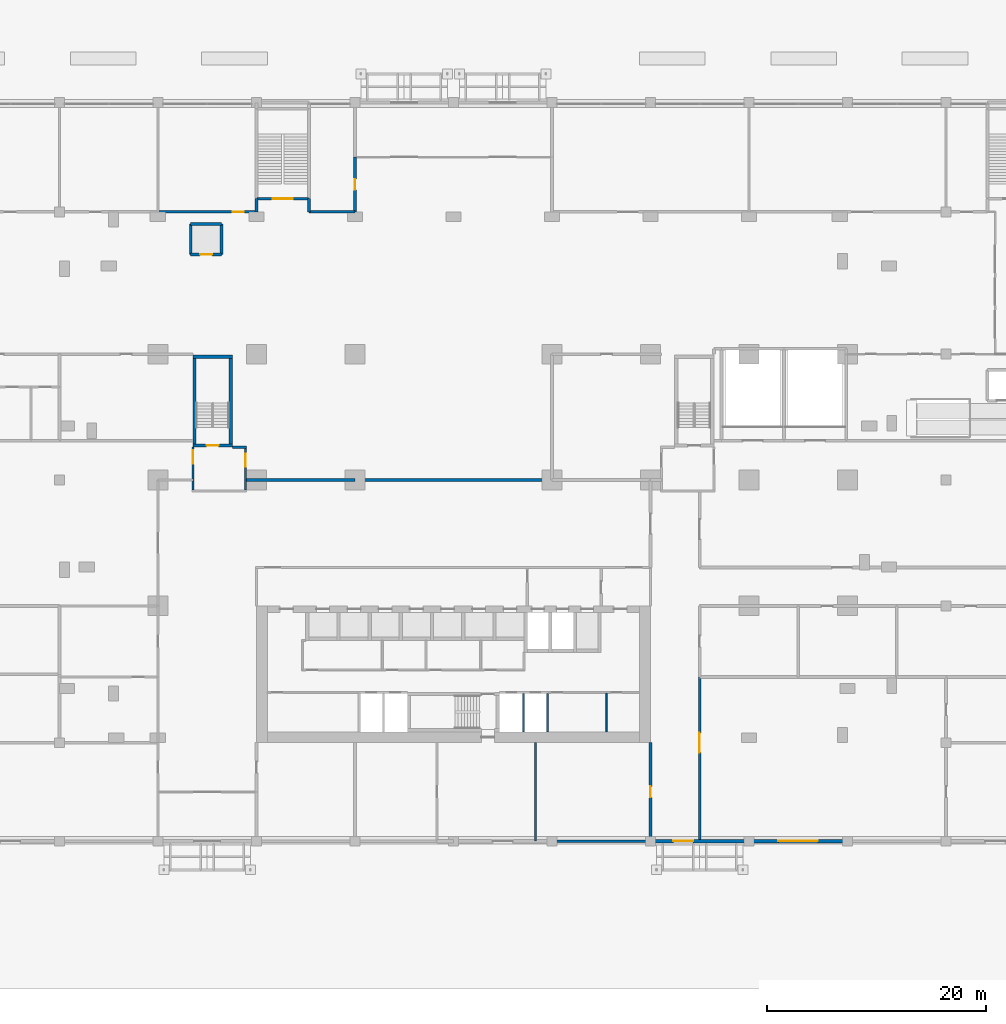
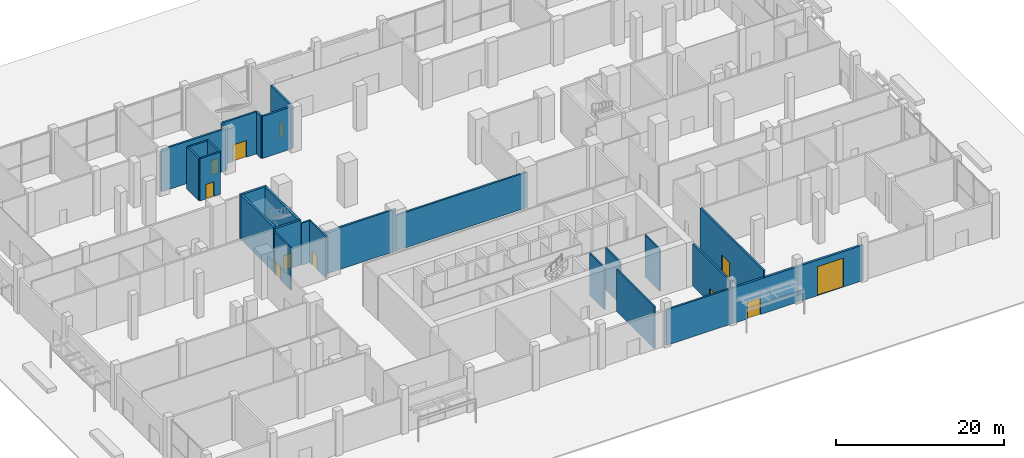
# One storey, part 32 of 39: 28 walls, 11 doors, 11 openings.
"""IFC4 building model written with IfcOpenShell, lengths in metres."""

from ifc_helpers import new_model, si_unit, direction, frame, frame_2d, origin, place, context, subcontext, project, spatial, rectangle, extrude, material, layer, layer_set, type_object, element, fill, save


model = new_model("IFC4")

# Units and contexts
model_context = context("Model", 3, precision=1e-05, world=origin(), true_north=direction((0.0, 1.0)))
body_context = subcontext(model_context, "Body", "Model", "MODEL_VIEW")
ifc_project = project(units=[si_unit("LENGTHUNIT", "METRE"), si_unit("AREAUNIT", "SQUARE_METRE"), si_unit("VOLUMEUNIT", "CUBIC_METRE"), si_unit("PLANEANGLEUNIT", "RADIAN"), si_unit("MASSUNIT", "GRAM", prefix="KILO")], contexts=[model_context])

# Site, building, storey
site_placement = place(None, origin())
site = spatial("IfcSite", under=ifc_project, at=site_placement, CompositionType="ELEMENT")
building_placement = place(site_placement, origin())
building = spatial("IfcBuilding", under=site, at=building_placement, Name="Brigalow Station Residences", CompositionType="ELEMENT")
storey_placement = place(building_placement, origin())
storey = spatial("IfcBuildingStorey", under=building, at=storey_placement, Name="L00", CompositionType="ELEMENT", Elevation=0.0)

# Wall, opening, door
ifc_material_1 = material(Name="Concrete C80", Category="concrete")
ifc_layer_1 = layer(ifc_material_1, 0.300048828125)
ifc_layer_set_1 = layer_set([ifc_layer_1], Name="CORE SHEAR WALL 300 C80")
wall_type_1 = type_object("IfcWallType", Name="CORE SHEAR WALL 300 C80", PredefinedType="SHEAR", material=ifc_layer_set_1)
wall_1_placement = place(storey_placement, frame((12.199951171875, 27.14990234375, 0.0), z_axis=(0.0, 0.0, 1.0), x_axis=(1.0, 0.0, 0.0)))
wall_1 = element("IfcWall", 1, at=wall_1_placement, inside=storey, type_object=wall_type_1, Name="CORE WALL ST-S1-S L00", PredefinedType="SHEAR", context=body_context, shape_type="SweptSolid", body=[
    extrude(rectangle(XDim=3.60009765625, YDim=0.300048828125, at=frame_2d((1.800048828125, 0.0))), origin(), (0.0, 0.0, 1.0), 6.5),
])
opening_1_placement = place(wall_1_placement, frame((1.25, 0.0, 0.0)))
opening_1 = element("IfcOpeningElement", 2, at=opening_1_placement, cuts=wall_1, Name="Opening D-5015", PredefinedType="OPENING", context=body_context, shape_type="SweptSolid", body=[
    extrude(rectangle(XDim=1.10009765625, YDim=2.10009765625, at=frame_2d((0.550048828125, 1.050048828125))), frame((0.0, 0.16015625, 0.0), z_axis=(0.0, -1.0, 0.0), x_axis=(1.0, 0.0, 0.0)), (0.0, 0.0, 1.0), 0.320068359375),
])
ifc_material_2 = material(Name="Steel fire door leaf in steel frame", Category="steel")
door_type_1 = type_object("IfcDoorType", Name="STAIR DOOR 1100 x 2100 FD60S", OperationType="SINGLE_SWING_LEFT", PredefinedType="DOOR", material=ifc_material_2)
door_1_placement = place(opening_1_placement, origin())
door_1 = element("IfcDoor", 3, at=door_1_placement, inside=storey, type_object=door_type_1, Name="D-5015", OperationType="SINGLE_SWING_LEFT", OverallHeight=2.10009765625, OverallWidth=1.10009765625, PredefinedType="DOOR", context=body_context, shape_type="SweptSolid", body=[
    extrude(rectangle(XDim=1.10009765625, YDim=2.10009765625, at=frame_2d((0.550048828125, 1.050048828125))), frame((0.0, 0.02490234375, 0.0), z_axis=(0.0, -1.0, 0.0), x_axis=(1.0, 0.0, 0.0)), (0.0, 0.0, 1.0), 0.050048828125),
])
fill(opening_1, door_1)

# Walls
wall_2_placement = place(storey_placement, frame((12.199951171875, 35.25, 0.0), z_axis=(0.0, 0.0, 1.0), x_axis=(1.0, 0.0, 0.0)))
element("IfcWall", 4, at=wall_2_placement, inside=storey, type_object=wall_type_1, Name="CORE WALL ST-S1-N L00", PredefinedType="SHEAR", context=body_context, shape_type="SweptSolid", body=[
    extrude(rectangle(XDim=3.60009765625, YDim=0.300048828125, at=frame_2d((1.800048828125, 0.0))), origin(), (0.0, 0.0, 1.0), 6.5),
])
for number, where, z_axis, x_axis, name in (
    (5, (12.35009765625, 27.300048828125, 0.0), (0.0, 0.0, 1.0), (0.0, 1.0, 0.0), "CORE WALL ST-S1-W L00"),
    (6, (15.64990234375, 27.300048828125, 0.0), (0.0, 0.0, 1.0), (0.0, 1.0, 0.0), "CORE WALL ST-S1-E L00"),
):
    element("IfcWall", number, at=place(storey_placement, frame(where, z_axis=z_axis, x_axis=x_axis)), inside=storey, type_object=wall_type_1, Name=name, PredefinedType="SHEAR", context=body_context, shape_type="SweptSolid", body=[
        extrude(rectangle(XDim=7.800048828125, YDim=0.300048828125, at=frame_2d((3.89990234375, 0.0))), origin(), (0.0, 0.0, 1.0), 6.5),
    ])

# Wall, opening, door
ifc_material_3 = material(Name="Glass and aluminium shopfront on a masonry base", Category="masonry")
ifc_layer_2 = layer(ifc_material_3, 0.300048828125)
ifc_layer_set_2 = layer_set([ifc_layer_2], Name="ENTRANCE INFILL 300")
wall_type_2 = type_object("IfcWallType", Name="ENTRANCE INFILL 300", PredefinedType="SOLIDWALL", material=ifc_layer_set_2)
wall_3_placement = place(storey_placement, frame((63.0, -9.0, 0.0), z_axis=(0.0, 0.0, 1.0), x_axis=(1.0, 0.0, 0.0)))
wall_3 = element("IfcWall", 7, at=wall_3_placement, inside=storey, type_object=wall_type_2, Name="Entrance Infill 300 Goods Receiving Room / OUT", PredefinedType="SOLIDWALL", context=body_context, shape_type="SweptSolid", body=[
    extrude(rectangle(XDim=9.0, YDim=0.300048828125, at=frame_2d((4.5, 0.0))), origin(), (0.0, 0.0, 1.0), 5.14794921875),
])
opening_2_placement = place(wall_3_placement, frame((2.699951171875, 0.0, 0.0)))
opening_2 = element("IfcOpeningElement", 8, at=opening_2_placement, cuts=wall_3, Name="Opening D-7105", PredefinedType="OPENING", context=body_context, shape_type="SweptSolid", body=[
    extrude(rectangle(XDim=3.60009765625, YDim=4.199951171875, at=frame_2d((1.800048828125, 2.10009765625))), frame((0.0, 0.16015625, 0.0), z_axis=(0.0, -1.0, 0.0), x_axis=(1.0, 0.0, 0.0)), (0.0, 0.0, 1.0), 0.320068359375),
])
ifc_material_4 = material(Name="Galvanised steel roller shutter", Category="steel")
door_type_2 = type_object("IfcDoorType", Name="DOOR LOADING 3600 ROLLER", OperationType="ROLLINGUP", PredefinedType="DOOR", material=ifc_material_4)
door_2_placement = place(opening_2_placement, frame((3.60009765625, 0.0, 0.0), z_axis=(0.0, 0.0, 1.0), x_axis=(-1.0, 0.0, 0.0)))
door_2 = element("IfcDoor", 9, at=door_2_placement, inside=storey, type_object=door_type_2, Name="Loading door", OperationType="ROLLINGUP", OverallHeight=4.199951171875, OverallWidth=3.60009765625, PredefinedType="DOOR", context=body_context, shape_type="SweptSolid", body=[
    extrude(rectangle(XDim=3.60009765625, YDim=4.199951171875, at=frame_2d((1.800048828125, 2.10009765625))), frame((0.0, 0.02490234375, 0.0), z_axis=(0.0, -1.0, 0.0), x_axis=(1.0, 0.0, 0.0)), (0.0, 0.0, 1.0), 0.050048828125),
])
fill(opening_2, door_2)

wall_4_placement = place(storey_placement, frame((54.0, -9.0, 0.0), z_axis=(0.0, 0.0, 1.0), x_axis=(1.0, 0.0, 0.0)))
wall_4 = element("IfcWall", 10, at=wall_4_placement, inside=storey, type_object=wall_type_2, Name="Entrance Infill 300 Service Corridor / OUT", PredefinedType="SOLIDWALL", context=body_context, shape_type="SweptSolid", body=[
    extrude(rectangle(XDim=9.0, YDim=0.300048828125, at=frame_2d((4.5, 0.0))), origin(), (0.0, 0.0, 1.0), 5.14794921875),
])
opening_3_placement = place(wall_4_placement, frame((2.10009765625, 0.0, 0.0)))
opening_3 = element("IfcOpeningElement", 11, at=opening_3_placement, cuts=wall_4, Name="Opening D-7104", PredefinedType="OPENING", context=body_context, shape_type="SweptSolid", body=[
    extrude(rectangle(XDim=1.800048828125, YDim=2.39990234375, at=frame_2d((0.89990234375, 1.199951171875))), frame((0.0, 0.16015625, 0.0), z_axis=(0.0, -1.0, 0.0), x_axis=(1.0, 0.0, 0.0)), (0.0, 0.0, 1.0), 0.320068359375),
])
ifc_material_5 = material(Name="Timber door leaves in steel frame", Category="steel")
door_type_3 = type_object("IfcDoorType", Name="DOOR DOUBLE 1800", OperationType="DOUBLE_DOOR_SINGLE_SWING", PredefinedType="DOOR", material=ifc_material_5)
door_3_placement = place(opening_3_placement, frame((1.800048828125, 0.0, 0.0), z_axis=(0.0, 0.0, 1.0), x_axis=(-1.0, 0.0, 0.0)))
door_3 = element("IfcDoor", 12, at=door_3_placement, inside=storey, type_object=door_type_3, Name="Service corridor exit door", OperationType="DOUBLE_DOOR_SINGLE_SWING", OverallHeight=2.39990234375, OverallWidth=1.800048828125, PredefinedType="DOOR", context=body_context, shape_type="SweptSolid", body=[
    extrude(rectangle(XDim=1.800048828125, YDim=2.39990234375, at=frame_2d((0.89990234375, 1.199951171875))), frame((0.0, 0.02490234375, 0.0), z_axis=(0.0, -1.0, 0.0), x_axis=(1.0, 0.0, 0.0)), (0.0, 0.0, 1.0), 0.050048828125),
])
fill(opening_3, door_3)

# Walls
ifc_material_6 = material(Name="Fire-rated plasterboard on steel studs", Category="steel")
ifc_layer_3 = layer(ifc_material_6, 0.25)
ifc_layer_set_3 = layer_set([ifc_layer_3], Name="FIRE PARTITION 250")
wall_type_3 = type_object("IfcWallType", Name="FIRE PARTITION 250", PredefinedType="PARTITIONING", material=ifc_layer_set_3)
wall_5_placement = place(storey_placement, frame((17.0, 24.0, 0.0), z_axis=(0.0, 0.0, 1.0), x_axis=(1.0, 0.0, 0.0)))
element("IfcWall", 13, at=wall_5_placement, inside=storey, type_object=wall_type_3, Name="Fire Partition 250 Residents' Lobby / Concourse", PredefinedType="PARTITIONING", context=body_context, shape_type="SweptSolid", body=[
    extrude(rectangle(XDim=10.0, YDim=0.25, at=frame_2d((5.0, 0.0))), origin(), (0.0, 0.0, 1.0), 6.097900390625),
])
wall_6_placement = place(storey_placement, frame((27.0, 24.0, 0.0), z_axis=(0.0, 0.0, 1.0), x_axis=(1.0, 0.0, 0.0)))
element("IfcWall", 14, at=wall_6_placement, inside=storey, type_object=wall_type_3, Name="Fire Partition 250 Residents' Lobby / Atrium", PredefinedType="PARTITIONING", context=body_context, shape_type="SweptSolid", body=[
    extrude(rectangle(XDim=18.0, YDim=0.25, at=frame_2d((9.0, 0.0))), origin(), (0.0, 0.0, 1.0), 5.14794921875),
])

# Wall, opening, door
wall_7_placement = place(storey_placement, frame((54.0, -9.0, 0.0), z_axis=(0.0, 0.0, 1.0), x_axis=(0.0, 1.0, 0.0)))
wall_7 = element("IfcWall", 15, at=wall_7_placement, inside=storey, type_object=wall_type_3, Name="Fire Partition 250 Residents' Storage Room / Service Corridor", PredefinedType="PARTITIONING", context=body_context, shape_type="SweptSolid", body=[
    extrude(rectangle(XDim=9.0, YDim=0.25, at=frame_2d((4.5, 0.0))), origin(), (0.0, 0.0, 1.0), 6.097900390625),
])
opening_4_placement = place(wall_7_placement, frame((4.0, 0.0, 0.0)))
opening_4 = element("IfcOpeningElement", 16, at=opening_4_placement, cuts=wall_7, Name="Opening D-7127", PredefinedType="OPENING", context=body_context, shape_type="SweptSolid", body=[
    extrude(rectangle(XDim=1.0, YDim=2.10009765625, at=frame_2d((0.5, 1.050048828125))), frame((0.0, 0.135009765625, 0.0), z_axis=(0.0, -1.0, 0.0), x_axis=(1.0, 0.0, 0.0)), (0.0, 0.0, 1.0), 0.27001953125),
])
ifc_material_7 = material(Name="Steel fire door leaf in steel frame", Category="steel")
door_type_4 = type_object("IfcDoorType", Name="DOOR SINGLE 1000 FIRE", OperationType="SINGLE_SWING_LEFT", PredefinedType="DOOR", material=ifc_material_7)
door_4_placement = place(opening_4_placement, origin())
door_4 = element("IfcDoor", 17, at=door_4_placement, inside=storey, type_object=door_type_4, Name="Residents' storage room door", OperationType="SINGLE_SWING_RIGHT", OverallHeight=2.10009765625, OverallWidth=1.0, PredefinedType="DOOR", context=body_context, shape_type="SweptSolid", body=[
    extrude(rectangle(XDim=1.0, YDim=2.10009765625, at=frame_2d((0.5, 1.050048828125))), frame((0.0, 0.02490234375, 0.0), z_axis=(0.0, -1.0, 0.0), x_axis=(1.0, 0.0, 0.0)), (0.0, 0.0, 1.0), 0.050048828125),
])
fill(opening_4, door_4)

wall_8_placement = place(storey_placement, frame((9.0, 48.5, 0.0), z_axis=(0.0, 0.0, 1.0), x_axis=(1.0, 0.0, 0.0)))
wall_8 = element("IfcWall", 18, at=wall_8_placement, inside=storey, type_object=wall_type_3, Name="Fire Partition 250 Concourse / Chemist Shop", PredefinedType="PARTITIONING", context=body_context, shape_type="SweptSolid", body=[
    extrude(rectangle(XDim=9.0, YDim=0.25, at=frame_2d((4.5, 0.0))), origin(), (0.0, 0.0, 1.0), 6.097900390625),
])
opening_5_placement = place(wall_8_placement, frame((6.85009765625, 0.0, 0.0)))
opening_5 = element("IfcOpeningElement", 19, at=opening_5_placement, cuts=wall_8, Name="Opening D-7144", PredefinedType="OPENING", context=body_context, shape_type="SweptSolid", body=[
    extrude(rectangle(XDim=1.0, YDim=2.10009765625, at=frame_2d((0.5, 1.050048828125))), frame((0.0, 0.135009765625, 0.0), z_axis=(0.0, -1.0, 0.0), x_axis=(1.0, 0.0, 0.0)), (0.0, 0.0, 1.0), 0.27001953125),
])
door_5_placement = place(opening_5_placement, origin())
door_5 = element("IfcDoor", 20, at=door_5_placement, inside=storey, type_object=door_type_4, Name="Chemist Shop door", OperationType="SINGLE_SWING_RIGHT", OverallHeight=2.10009765625, OverallWidth=1.0, PredefinedType="DOOR", context=body_context, shape_type="SweptSolid", body=[
    extrude(rectangle(XDim=1.0, YDim=2.10009765625, at=frame_2d((0.5, 1.050048828125))), frame((0.0, 0.02490234375, 0.0), z_axis=(0.0, -1.0, 0.0), x_axis=(1.0, 0.0, 0.0)), (0.0, 0.0, 1.0), 0.050048828125),
])
fill(opening_5, door_5)

# Walls
wall_9_placement = place(storey_placement, frame((18.0, 48.5, 0.0), z_axis=(0.0, 0.0, 1.0), x_axis=(0.0, 1.0, 0.0)))
element("IfcWall", 21, at=wall_9_placement, inside=storey, type_object=wall_type_3, Name="Fire Partition 250 Concourse / Chemist Shop", PredefinedType="PARTITIONING", context=body_context, shape_type="SweptSolid", body=[
    extrude(rectangle(XDim=1.199951171875, YDim=0.25, at=frame_2d((0.60009765625, 0.0))), origin(), (0.0, 0.0, 1.0), 6.097900390625),
])
wall_10_placement = place(storey_placement, frame((22.800048828125, 48.5, 0.0), z_axis=(0.0, 0.0, 1.0), x_axis=(1.0, 0.0, 0.0)))
element("IfcWall", 22, at=wall_10_placement, inside=storey, type_object=wall_type_3, Name="Fire Partition 250 Concourse / Coffee Kiosk", PredefinedType="PARTITIONING", context=body_context, shape_type="SweptSolid", body=[
    extrude(rectangle(XDim=4.199951171875, YDim=0.25, at=frame_2d((2.10009765625, 0.0))), origin(), (0.0, 0.0, 1.0), 6.097900390625),
])
wall_11_placement = place(storey_placement, frame((22.800048828125, 48.5, 0.0), z_axis=(0.0, 0.0, 1.0), x_axis=(0.0, 1.0, 0.0)))
element("IfcWall", 23, at=wall_11_placement, inside=storey, type_object=wall_type_3, Name="Fire Partition 250 Concourse / Coffee Kiosk", PredefinedType="PARTITIONING", context=body_context, shape_type="SweptSolid", body=[
    extrude(rectangle(XDim=1.199951171875, YDim=0.25, at=frame_2d((0.60009765625, 0.0))), origin(), (0.0, 0.0, 1.0), 6.097900390625),
])

# Wall, opening, door
wall_12_placement = place(storey_placement, frame((27.0, 48.5, 0.0), z_axis=(0.0, 0.0, 1.0), x_axis=(0.0, 1.0, 0.0)))
wall_12 = element("IfcWall", 24, at=wall_12_placement, inside=storey, type_object=wall_type_3, Name="Fire Partition 250 Concourse / Coffee Kiosk", PredefinedType="PARTITIONING", context=body_context, shape_type="SweptSolid", body=[
    extrude(rectangle(XDim=5.0, YDim=0.25, at=frame_2d((2.5, 0.0))), origin(), (0.0, 0.0, 1.0), 6.097900390625),
])
opening_6_placement = place(wall_12_placement, frame((2.0, 0.0, 0.0)))
opening_6 = element("IfcOpeningElement", 25, at=opening_6_placement, cuts=wall_12, Name="Opening D-7145", PredefinedType="OPENING", context=body_context, shape_type="SweptSolid", body=[
    extrude(rectangle(XDim=1.0, YDim=2.10009765625, at=frame_2d((0.5, 1.050048828125))), frame((0.0, 0.135009765625, 0.0), z_axis=(0.0, -1.0, 0.0), x_axis=(1.0, 0.0, 0.0)), (0.0, 0.0, 1.0), 0.27001953125),
])
door_6_placement = place(opening_6_placement, origin())
door_6 = element("IfcDoor", 26, at=door_6_placement, inside=storey, type_object=door_type_4, Name="Coffee Kiosk door", OperationType="SINGLE_SWING_LEFT", OverallHeight=2.10009765625, OverallWidth=1.0, PredefinedType="DOOR", context=body_context, shape_type="SweptSolid", body=[
    extrude(rectangle(XDim=1.0, YDim=2.10009765625, at=frame_2d((0.5, 1.050048828125))), frame((0.0, 0.02490234375, 0.0), z_axis=(0.0, -1.0, 0.0), x_axis=(1.0, 0.0, 0.0)), (0.0, 0.0, 1.0), 0.050048828125),
])
fill(opening_6, door_6)

wall_13_placement = place(storey_placement, frame((58.5, -9.0, 0.0), z_axis=(0.0, 0.0, 1.0), x_axis=(0.0, 1.0, 0.0)))
wall_13 = element("IfcWall", 27, at=wall_13_placement, inside=storey, type_object=wall_type_3, Name="Fire Partition 250 Service Corridor / Goods Receiving Room", PredefinedType="PARTITIONING", context=body_context, shape_type="SweptSolid", body=[
    extrude(rectangle(XDim=15.0, YDim=0.25, at=frame_2d((7.5, 0.0))), origin(), (0.0, 0.0, 1.0), 6.097900390625),
])
opening_7_placement = place(wall_13_placement, frame((8.10009765625, 0.0, 0.0)))
opening_7 = element("IfcOpeningElement", 28, at=opening_7_placement, cuts=wall_13, Name="Opening D-7132", PredefinedType="OPENING", context=body_context, shape_type="SweptSolid", body=[
    extrude(rectangle(XDim=1.800048828125, YDim=2.39990234375, at=frame_2d((0.89990234375, 1.199951171875))), frame((0.0, 0.135009765625, 0.0), z_axis=(0.0, -1.0, 0.0), x_axis=(1.0, 0.0, 0.0)), (0.0, 0.0, 1.0), 0.27001953125),
])
ifc_material_8 = material(Name="Steel fire door leaves in steel frame", Category="steel")
door_type_5 = type_object("IfcDoorType", Name="DOOR DOUBLE 1800 FIRE", OperationType="DOUBLE_DOOR_SINGLE_SWING", PredefinedType="DOOR", material=ifc_material_8)
door_7_placement = place(opening_7_placement, frame((1.800048828125, 0.0, 0.0), z_axis=(0.0, 0.0, 1.0), x_axis=(-1.0, 0.0, 0.0)))
door_7 = element("IfcDoor", 29, at=door_7_placement, inside=storey, type_object=door_type_5, Name="Goods receiving room door", OperationType="DOUBLE_DOOR_SINGLE_SWING", OverallHeight=2.39990234375, OverallWidth=1.800048828125, PredefinedType="DOOR", context=body_context, shape_type="SweptSolid", body=[
    extrude(rectangle(XDim=1.800048828125, YDim=2.39990234375, at=frame_2d((0.89990234375, 1.199951171875))), frame((0.0, 0.02490234375, 0.0), z_axis=(0.0, -1.0, 0.0), x_axis=(1.0, 0.0, 0.0)), (0.0, 0.0, 1.0), 0.050048828125),
])
fill(opening_7, door_7)

# Walls
wall_14_placement = place(storey_placement, frame((45.0, -9.0, 0.0), z_axis=(0.0, 0.0, 1.0), x_axis=(1.0, 0.0, 0.0)))
element("IfcWall", 30, at=wall_14_placement, inside=storey, type_object=wall_type_3, Name="Fire Partition 250 Residents' Storage Room / OUT", PredefinedType="PARTITIONING", context=body_context, shape_type="SweptSolid", body=[
    extrude(rectangle(XDim=9.0, YDim=0.25, at=frame_2d((4.5, 0.0))), origin(), (0.0, 0.0, 1.0), 5.14794921875),
])
ifc_material_9 = material(Name="Concrete blockwork", Category="masonry")
ifc_layer_4 = layer(ifc_material_9, 0.199951171875)
ifc_layer_set_4 = layer_set([ifc_layer_4], Name="FIRE RATED CORE PARTITION 200")
wall_type_4 = type_object("IfcWallType", Name="FIRE RATED CORE PARTITION 200", PredefinedType="PARTITIONING", material=ifc_layer_set_4)
wall_15_placement = place(storey_placement, frame((15.800048828125, 27.0, 0.0), z_axis=(0.0, 0.0, 1.0), x_axis=(1.0, 0.0, 0.0)))
element("IfcWall", 31, at=wall_15_placement, inside=storey, type_object=wall_type_4, Name="PW-5025", PredefinedType="PARTITIONING", context=body_context, shape_type="SweptSolid", body=[
    extrude(rectangle(XDim=1.300048828125, YDim=0.199951171875, at=frame_2d((0.64990234375, 0.0))), origin(), (0.0, 0.0, 1.0), 6.097900390625),
])
for number, where, z_axis, x_axis, name in (
    (32, (42.39990234375, 1.0, 0.0), (0.0, 0.0, 1.0), (0.0, 1.0, 0.0), "PW-5007"),
    (33, (44.60009765625, 1.0, 0.0), (0.0, 0.0, 1.0), (0.0, 1.0, 0.0), "PW-5008"),
):
    element("IfcWall", number, at=place(storey_placement, frame(where, z_axis=z_axis, x_axis=x_axis)), inside=storey, type_object=wall_type_4, Name=name, PredefinedType="PARTITIONING", context=body_context, shape_type="SweptSolid", body=[
        extrude(rectangle(XDim=3.5, YDim=0.199951171875, at=frame_2d((1.75, 0.0))), origin(), (0.0, 0.0, 1.0), 6.097900390625),
    ])

# Wall, opening, door
wall_16_placement = place(storey_placement, frame((12.199951171875, 23.10009765625, 0.0), z_axis=(0.0, 0.0, 1.0), x_axis=(0.0, 1.0, 0.0)))
wall_16 = element("IfcWall", 34, at=wall_16_placement, inside=storey, type_object=wall_type_4, Name="PW-5034", PredefinedType="PARTITIONING", context=body_context, shape_type="SweptSolid", body=[
    extrude(rectangle(XDim=3.89990234375, YDim=0.199951171875, at=frame_2d((1.949951171875, 0.0))), origin(), (0.0, 0.0, 1.0), 6.097900390625),
])
opening_8_placement = place(wall_16_placement, frame((2.39990234375, 0.0, 0.0)))
opening_8 = element("IfcOpeningElement", 35, at=opening_8_placement, cuts=wall_16, Name="Opening D-5017", PredefinedType="OPENING", context=body_context, shape_type="SweptSolid", body=[
    extrude(rectangle(XDim=1.199951171875, YDim=2.10009765625, at=frame_2d((0.60009765625, 1.050048828125))), frame((0.0, 0.10986328125, 0.0), z_axis=(0.0, -1.0, 0.0), x_axis=(1.0, 0.0, 0.0)), (0.0, 0.0, 1.0), 0.219970703125),
])
ifc_material_10 = material(Name="Steel fire door leaves in steel frame", Category="steel")
door_type_6 = type_object("IfcDoorType", Name="EXIT DOOR 1200 x 2100 FD60S", OperationType="SINGLE_SWING_LEFT", PredefinedType="DOOR", material=ifc_material_10)
door_8_placement = place(opening_8_placement, origin())
door_8 = element("IfcDoor", 36, at=door_8_placement, inside=storey, type_object=door_type_6, Name="D-5017", OperationType="SINGLE_SWING_RIGHT", OverallHeight=2.10009765625, OverallWidth=1.199951171875, PredefinedType="DOOR", context=body_context, shape_type="SweptSolid", body=[
    extrude(rectangle(XDim=1.199951171875, YDim=2.10009765625, at=frame_2d((0.60009765625, 1.050048828125))), frame((0.0, 0.02490234375, 0.0), z_axis=(0.0, -1.0, 0.0), x_axis=(1.0, 0.0, 0.0)), (0.0, 0.0, 1.0), 0.050048828125),
])
fill(opening_8, door_8)

wall_17_placement = place(storey_placement, frame((17.0, 23.10009765625, 0.0), z_axis=(0.0, 0.0, 1.0), x_axis=(0.0, 1.0, 0.0)))
wall_17 = element("IfcWall", 37, at=wall_17_placement, inside=storey, type_object=wall_type_4, Name="PW-5035", PredefinedType="PARTITIONING", context=body_context, shape_type="SweptSolid", body=[
    extrude(rectangle(XDim=3.7998046875, YDim=0.199951171875, at=frame_2d((1.89990234375, 0.0))), origin(), (0.0, 0.0, 1.0), 6.097900390625),
])
opening_9_placement = place(wall_17_placement, frame((2.10009765625, 0.0, 0.0)))
opening_9 = element("IfcOpeningElement", 38, at=opening_9_placement, cuts=wall_17, Name="Opening D-5016", PredefinedType="OPENING", context=body_context, shape_type="SweptSolid", body=[
    extrude(rectangle(XDim=1.199951171875, YDim=2.10009765625, at=frame_2d((0.60009765625, 1.050048828125))), frame((0.0, 0.10986328125, 0.0), z_axis=(0.0, -1.0, 0.0), x_axis=(1.0, 0.0, 0.0)), (0.0, 0.0, 1.0), 0.219970703125),
])
ifc_material_11 = material(Name="Steel fire door leaf in steel frame", Category="steel")
door_type_7 = type_object("IfcDoorType", Name="STAIR LOBBY DOOR 1200 x 2100 FD60S", OperationType="SINGLE_SWING_LEFT", PredefinedType="DOOR", material=ifc_material_11)
door_9_placement = place(opening_9_placement, origin())
door_9 = element("IfcDoor", 39, at=door_9_placement, inside=storey, type_object=door_type_7, Name="D-5016", OperationType="SINGLE_SWING_RIGHT", OverallHeight=2.10009765625, OverallWidth=1.199951171875, PredefinedType="DOOR", context=body_context, shape_type="SweptSolid", body=[
    extrude(rectangle(XDim=1.199951171875, YDim=2.10009765625, at=frame_2d((0.60009765625, 1.050048828125))), frame((0.0, 0.02490234375, 0.0), z_axis=(0.0, -1.0, 0.0), x_axis=(1.0, 0.0, 0.0)), (0.0, 0.0, 1.0), 0.050048828125),
])
fill(opening_9, door_9)

# Walls
ifc_material_12 = material(Name="Plasterboard on steel studs with acoustic insulation", Category="steel")
ifc_layer_5 = layer(ifc_material_12, 0.199951171875)
ifc_layer_set_5 = layer_set([ifc_layer_5], Name="PARTITION 200")
wall_type_5 = type_object("IfcWallType", Name="PARTITION 200", PredefinedType="PARTITIONING", material=ifc_layer_set_5)
wall_18_placement = place(storey_placement, frame((43.5, -9.0, 0.0), z_axis=(0.0, 0.0, 1.0), x_axis=(0.0, 1.0, 0.0)))
element("IfcWall", 40, at=wall_18_placement, inside=storey, type_object=wall_type_5, Name="Partition 200 Residents' Storage Room / Stair S2 Exit Lobby", PredefinedType="PARTITIONING", context=body_context, shape_type="SweptSolid", body=[
    extrude(rectangle(XDim=9.0, YDim=0.199951171875, at=frame_2d((4.5, 0.0))), origin(), (0.0, 0.0, 1.0), 6.097900390625),
])
ifc_material_13 = material(Name="Plasterboard on steel studs", Category="steel")
ifc_layer_6 = layer(ifc_material_13, 0.14990234375)
ifc_layer_set_6 = layer_set([ifc_layer_6], Name="SERVICE ROOM PARTITION 150")
wall_type_6 = type_object("IfcWallType", Name="SERVICE ROOM PARTITION 150", PredefinedType="PARTITIONING", material=ifc_layer_set_6)
wall_19_placement = place(storey_placement, frame((50.0, 1.0, 0.0), z_axis=(0.0, 0.0, 1.0), x_axis=(0.0, 1.0, 0.0)))
element("IfcWall", 41, at=wall_19_placement, inside=storey, type_object=wall_type_6, Name="PW-5028", PredefinedType="PARTITIONING", context=body_context, shape_type="SweptSolid", body=[
    extrude(rectangle(XDim=3.52490234375, YDim=0.14990234375, at=frame_2d((1.762451171875, 0.0))), origin(), (0.0, 0.0, 1.0), 6.097900390625),
])

# Wall, opening, door
ifc_material_14 = material(Name="Concrete blockwork", Category="masonry")
ifc_layer_7 = layer(ifc_material_14, 0.25)
ifc_layer_set_7 = layer_set([ifc_layer_7], Name="SHAFT WALL 250")
wall_type_7 = type_object("IfcWallType", Name="SHAFT WALL 250", PredefinedType="SOLIDWALL", material=ifc_layer_set_7)
wall_20_placement = place(storey_placement, frame((12.0, 44.60009765625, 0.0), z_axis=(0.0, 0.0, 1.0), x_axis=(1.0, 0.0, 0.0)))
wall_20 = element("IfcWall", 42, at=wall_20_placement, inside=storey, type_object=wall_type_7, Name="Shaft Wall 250 Concourse / Lift Shaft Lp-2", PredefinedType="SOLIDWALL", context=body_context, shape_type="SweptSolid", body=[
    extrude(rectangle(XDim=2.800048828125, YDim=0.25, at=frame_2d((1.39990234375, 0.0))), origin(), (0.0, 0.0, 1.0), 6.097900390625),
])
opening_10_placement = place(wall_20_placement, frame((0.85009765625, 0.0, 0.0)))
opening_10 = element("IfcOpeningElement", 43, at=opening_10_placement, cuts=wall_20, Name="Opening LD-7166", PredefinedType="OPENING", context=body_context, shape_type="SweptSolid", body=[
    extrude(rectangle(XDim=1.10009765625, YDim=2.10009765625, at=frame_2d((0.550048828125, 1.050048828125))), frame((0.0, 0.135009765625, 0.0), z_axis=(0.0, -1.0, 0.0), x_axis=(1.0, 0.0, 0.0)), (0.0, 0.0, 1.0), 0.27001953125),
])
ifc_material_15 = material(Name="Stainless steel sliding door leaves", Category="steel")
door_type_8 = type_object("IfcDoorType", Name="DOOR LIFT LANDING 1100", OperationType="SLIDING_TO_LEFT", PredefinedType="DOOR", material=ifc_material_15)
door_10_placement = place(opening_10_placement, origin())
door_10 = element("IfcDoor", 44, at=door_10_placement, inside=storey, type_object=door_type_8, Name="Landing door public lift L00", OperationType="SLIDING_TO_LEFT", OverallHeight=2.10009765625, OverallWidth=1.10009765625, PredefinedType="DOOR", context=body_context, shape_type="SweptSolid", body=[
    extrude(rectangle(XDim=1.10009765625, YDim=2.10009765625, at=frame_2d((0.550048828125, 1.050048828125))), frame((0.0, 0.02490234375, 0.0), z_axis=(0.0, -1.0, 0.0), x_axis=(1.0, 0.0, 0.0)), (0.0, 0.0, 1.0), 0.050048828125),
])
fill(opening_10, door_10)

# Walls
wall_21_placement = place(storey_placement, frame((12.0, 47.39990234375, 0.0), z_axis=(0.0, 0.0, 1.0), x_axis=(1.0, 0.0, 0.0)))
element("IfcWall", 45, at=wall_21_placement, inside=storey, type_object=wall_type_7, Name="Shaft Wall 250 Concourse / Lift Shaft Lp-2", PredefinedType="SOLIDWALL", context=body_context, shape_type="SweptSolid", body=[
    extrude(rectangle(XDim=2.800048828125, YDim=0.25, at=frame_2d((1.39990234375, 0.0))), origin(), (0.0, 0.0, 1.0), 6.097900390625),
])
for number, where, z_axis, x_axis, name in (
    (46, (12.0, 44.60009765625, 0.0), (0.0, 0.0, 1.0), (0.0, 1.0, 0.0), "Shaft Wall 250 Concourse / Lift Shaft Lp-2"),
    (47, (14.800048828125, 44.60009765625, 0.0), (0.0, 0.0, 1.0), (0.0, 1.0, 0.0), "Shaft Wall 250 Concourse / Lift Shaft Lp-2"),
):
    element("IfcWall", number, at=place(storey_placement, frame(where, z_axis=z_axis, x_axis=x_axis)), inside=storey, type_object=wall_type_7, Name=name, PredefinedType="SOLIDWALL", context=body_context, shape_type="SweptSolid", body=[
        extrude(rectangle(XDim=2.7998046875, YDim=0.25, at=frame_2d((1.39990234375, 0.0))), origin(), (0.0, 0.0, 1.0), 6.097900390625),
    ])

# Wall, opening, door
ifc_material_16 = material(Name="Concrete C50", Category="concrete")
ifc_layer_8 = layer(ifc_material_16, 0.25)
ifc_layer_set_8 = layer_set([ifc_layer_8], Name="STAIR ENCLOSURE 250")
wall_type_8 = type_object("IfcWallType", Name="STAIR ENCLOSURE 250", PredefinedType="SOLIDWALL", material=ifc_layer_set_8)
wall_22_placement = place(storey_placement, frame((18.044921875, 49.699951171875, 0.0), z_axis=(0.0, 0.0, 1.0), x_axis=(1.0, 0.0, 0.0)))
wall_22 = element("IfcWall", 48, at=wall_22_placement, inside=storey, type_object=wall_type_8, Name="Stair Enclosure 250 Concourse / Exit Stair St-6", PredefinedType="SOLIDWALL", context=body_context, shape_type="SweptSolid", body=[
    extrude(rectangle(XDim=4.7099609375, YDim=0.25, at=frame_2d((2.35498046875, 0.0))), origin(), (0.0, 0.0, 1.0), 6.097900390625),
])
opening_11_placement = place(wall_22_placement, frame((1.455078125, 0.0, 0.0)))
opening_11 = element("IfcOpeningElement", 49, at=opening_11_placement, cuts=wall_22, Name="Opening D-7164", PredefinedType="OPENING", context=body_context, shape_type="SweptSolid", body=[
    extrude(rectangle(XDim=1.800048828125, YDim=2.39990234375, at=frame_2d((0.89990234375, 1.199951171875))), frame((0.0, 0.135009765625, 0.0), z_axis=(0.0, -1.0, 0.0), x_axis=(1.0, 0.0, 0.0)), (0.0, 0.0, 1.0), 0.27001953125),
])
door_11_placement = place(opening_11_placement, origin())
door_11 = element("IfcDoor", 50, at=door_11_placement, inside=storey, type_object=door_type_5, Name="Exit stair ST-6 door", OperationType="DOUBLE_DOOR_SINGLE_SWING", OverallHeight=2.39990234375, OverallWidth=1.800048828125, PredefinedType="DOOR", context=body_context, shape_type="SweptSolid", body=[
    extrude(rectangle(XDim=1.800048828125, YDim=2.39990234375, at=frame_2d((0.89990234375, 1.199951171875))), frame((0.0, 0.02490234375, 0.0), z_axis=(0.0, -1.0, 0.0), x_axis=(1.0, 0.0, 0.0)), (0.0, 0.0, 1.0), 0.050048828125),
])
fill(opening_11, door_11)

save(model, "model.ifc")
